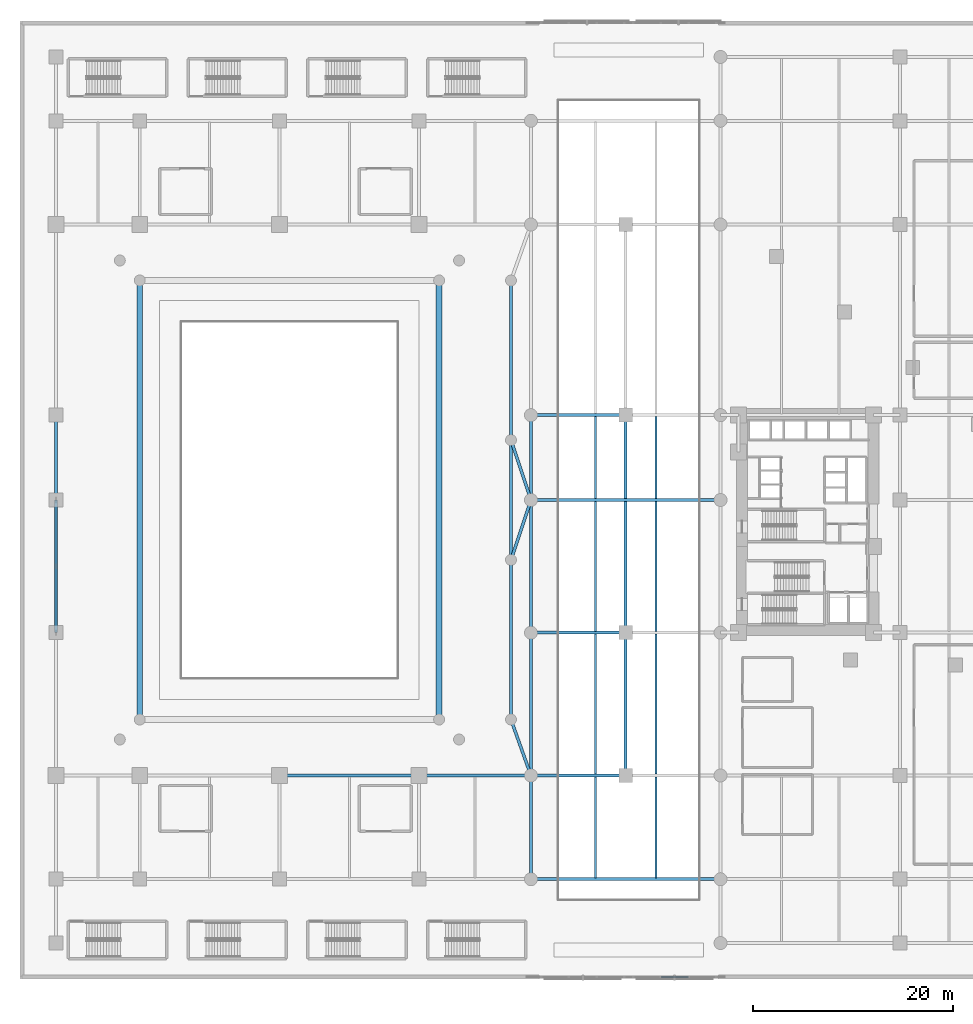
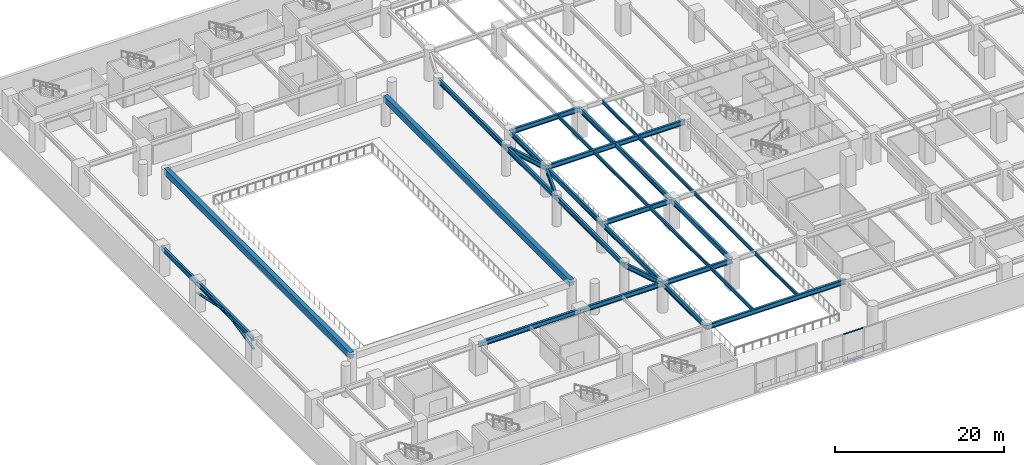
# One storey, part 3 of 32: 31 beams, 4 members, 1 element without a shape of its own.
"""IFC4 building model written with IfcOpenShell, lengths in metres."""

from ifc_helpers import new_model, si_unit, direction, frame, origin, origin_2d, place, context, subcontext, project, spatial, rectangle, hollow_rectangle, hollow_circle, i_section, extrude, material, material_profile, profile_set, type_object, element, aggregate, save


model = new_model("IFC4")

# Units and contexts
model_context = context("Model", 3, precision=1e-05, world=origin(), true_north=direction((0.0, 1.0)))
body_context = subcontext(model_context, "Body", "Model", "MODEL_VIEW")
ifc_project = project(units=[si_unit("LENGTHUNIT", "METRE"), si_unit("AREAUNIT", "SQUARE_METRE"), si_unit("VOLUMEUNIT", "CUBIC_METRE"), si_unit("PLANEANGLEUNIT", "RADIAN"), si_unit("MASSUNIT", "GRAM", prefix="KILO")], contexts=[model_context])

# Site, building, storey
site_placement = place(None, origin())
site = spatial("IfcSite", under=ifc_project, at=site_placement, CompositionType="ELEMENT")
building_placement = place(site_placement, origin())
building = spatial("IfcBuilding", under=site, at=building_placement, Name="Narakoshi Arena Tower", CompositionType="ELEMENT")
storey_placement = place(building_placement, frame((0.0, 0.0, 4.5)))
storey = spatial("IfcBuildingStorey", under=building, at=storey_placement, Name="L01", CompositionType="ELEMENT", Elevation=4.5)

# Beams
ifc_material_1 = material(Name="Structural steel S355J2", Category="steel")
ifc_material_profile_1 = material_profile(ifc_material_1, i_section(OverallWidth=0.300048828125, OverallDepth=0.699951171875, WebThickness=0.01708984375, FlangeThickness=0.031982421875, FilletRadius=0.027099609375, at=origin_2d()), Name="HE700B")
ifc_profile_set_1 = profile_set([ifc_material_profile_1], Name="Structural steel S355J2")
beam_type_1 = type_object("IfcBeamType", Name="BM-PRI-700", PredefinedType="BEAM", material=ifc_profile_set_1)
beam_1_placement = place(storey_placement, frame((49.199951171875, 26.0, 3.830078125), z_axis=(0.336331195321, -0.94174376932, 0.0), x_axis=(0.94174376932, 0.336331195321, 0.0)))
element("IfcBeam", 1, at=beam_1_placement, inside=storey, type_object=beam_type_1, Name="L01 Arena Foyer Tie Beam 01", PredefinedType="BEAM", context=body_context, shape_type="SweptSolid", body=[
    extrude(i_section(OverallWidth=0.300048828125, OverallDepth=0.699951171875, WebThickness=0.01708984375, FlangeThickness=0.031982421875, FilletRadius=0.027099609375, at=origin_2d()), origin(), (0.0, 0.0, 1.0), 5.946533203125),
])
for number, where, z_axis, x_axis, name in (
    (2, (49.199951171875, 42.0, 3.830078125), (0.316227766017, 0.948683298051, 0.0), (-0.948683298051, 0.316227766017, 0.0), "L01 Arena Foyer Tie Beam 02"),
    (3, (49.199951171875, 54.0, 3.830078125), (0.316227766017, -0.948683298051, 0.0), (0.948683298051, 0.316227766017, 0.0), "L01 Arena Foyer Tie Beam 03"),
):
    element("IfcBeam", number, at=place(storey_placement, frame(where, z_axis=z_axis, x_axis=x_axis)), inside=storey, type_object=beam_type_1, Name=name, PredefinedType="BEAM", context=body_context, shape_type="SweptSolid", body=[
        extrude(i_section(OverallWidth=0.300048828125, OverallDepth=0.699951171875, WebThickness=0.01708984375, FlangeThickness=0.031982421875, FilletRadius=0.027099609375, at=origin_2d()), origin(), (0.0, 0.0, 1.0), 6.324462890625),
    ])
beam_2_placement = place(storey_placement, frame((49.199951171875, 26.0, 3.830078125), z_axis=(0.0, 1.0, 0.0), x_axis=(-1.0, 0.0, 0.0)))
element("IfcBeam", 4, at=beam_2_placement, inside=storey, type_object=beam_type_1, Name="L01 Arena Foyer Ring Beam 26", PredefinedType="BEAM", context=body_context, shape_type="SweptSolid", body=[
    extrude(i_section(OverallWidth=0.300048828125, OverallDepth=0.699951171875, WebThickness=0.01708984375, FlangeThickness=0.031982421875, FilletRadius=0.027099609375, at=origin_2d()), origin(), (0.0, 0.0, 1.0), 16.0),
])
beam_3_placement = place(storey_placement, frame((49.199951171875, 42.0, 3.830078125), z_axis=(0.0, 1.0, 0.0), x_axis=(-1.0, 0.0, 0.0)))
element("IfcBeam", 5, at=beam_3_placement, inside=storey, type_object=beam_type_1, Name="L01 Arena Foyer Ring Beam 42", PredefinedType="BEAM", context=body_context, shape_type="SweptSolid", body=[
    extrude(i_section(OverallWidth=0.300048828125, OverallDepth=0.699951171875, WebThickness=0.01708984375, FlangeThickness=0.031982421875, FilletRadius=0.027099609375, at=origin_2d()), origin(), (0.0, 0.0, 1.0), 12.0),
])
beam_4_placement = place(storey_placement, frame((49.199951171875, 54.0, 3.830078125), z_axis=(0.0, 1.0, 0.0), x_axis=(-1.0, 0.0, 0.0)))
element("IfcBeam", 6, at=beam_4_placement, inside=storey, type_object=beam_type_1, Name="L01 Arena Foyer Ring Beam 54", PredefinedType="BEAM", context=body_context, shape_type="SweptSolid", body=[
    extrude(i_section(OverallWidth=0.300048828125, OverallDepth=0.699951171875, WebThickness=0.01708984375, FlangeThickness=0.031982421875, FilletRadius=0.027099609375, at=origin_2d()), origin(), (0.0, 0.0, 1.0), 16.0),
])
beam_5_placement = place(storey_placement, frame((51.199951171875, 10.0, 3.830078125), z_axis=(1.0, 0.0, 0.0), x_axis=(0.0, 1.0, 0.0)))
element("IfcBeam", 7, at=beam_5_placement, inside=storey, type_object=beam_type_1, Name="L01 Podium Primary X-Girder 009", PredefinedType="BEAM", context=body_context, shape_type="SweptSolid", body=[
    extrude(i_section(OverallWidth=0.300048828125, OverallDepth=0.699951171875, WebThickness=0.01708984375, FlangeThickness=0.031982421875, FilletRadius=0.027099609375, at=origin_2d()), origin(), (0.0, 0.0, 1.0), 19.0),
])
beam_6_placement = place(storey_placement, frame((26.0, 20.39990234375, 3.830078125), z_axis=(1.0, 0.0, 0.0), x_axis=(0.0, 1.0, 0.0)))
element("IfcBeam", 8, at=beam_6_placement, inside=storey, type_object=beam_type_1, Name="L01 Podium Primary X-Girder 016", PredefinedType="BEAM", context=body_context, shape_type="SweptSolid", body=[
    extrude(i_section(OverallWidth=0.300048828125, OverallDepth=0.699951171875, WebThickness=0.01708984375, FlangeThickness=0.031982421875, FilletRadius=0.027099609375, at=origin_2d()), origin(), (0.0, 0.0, 1.0), 14.0),
])
beam_7_placement = place(storey_placement, frame((40.0, 20.39990234375, 3.830078125), z_axis=(1.0, 0.0, 0.0), x_axis=(0.0, 1.0, 0.0)))
element("IfcBeam", 9, at=beam_7_placement, inside=storey, type_object=beam_type_1, Name="L01 Podium Primary X-Girder 017", PredefinedType="BEAM", context=body_context, shape_type="SweptSolid", body=[
    extrude(i_section(OverallWidth=0.300048828125, OverallDepth=0.699951171875, WebThickness=0.01708984375, FlangeThickness=0.031982421875, FilletRadius=0.027099609375, at=origin_2d()), origin(), (0.0, 0.0, 1.0), 11.199951171875),
])
for number, where, z_axis, x_axis, name in (
    (10, (51.199951171875, 20.39990234375, 3.830078125), (1.0, 0.0, 0.0), (0.0, 1.0, 0.0), "L01 Podium Primary X-Girder 018"),
    (11, (51.199951171875, 34.699951171875, 3.830078125), (1.0, 0.0, 0.0), (0.0, 1.0, 0.0), "L01 Podium Primary X-Girder 024"),
):
    element("IfcBeam", number, at=place(storey_placement, frame(where, z_axis=z_axis, x_axis=x_axis)), inside=storey, type_object=beam_type_1, Name=name, PredefinedType="BEAM", context=body_context, shape_type="SweptSolid", body=[
        extrude(i_section(OverallWidth=0.300048828125, OverallDepth=0.699951171875, WebThickness=0.01708984375, FlangeThickness=0.031982421875, FilletRadius=0.027099609375, at=origin_2d()), origin(), (0.0, 0.0, 1.0), 9.5),
    ])
beam_8_placement = place(storey_placement, frame((51.199951171875, 48.0, 3.830078125), z_axis=(1.0, 0.0, 0.0), x_axis=(0.0, 1.0, 0.0)))
element("IfcBeam", 12, at=beam_8_placement, inside=storey, type_object=beam_type_1, Name="L01 Podium Primary X-Girder 031", PredefinedType="BEAM", context=body_context, shape_type="SweptSolid", body=[
    extrude(i_section(OverallWidth=0.300048828125, OverallDepth=0.699951171875, WebThickness=0.01708984375, FlangeThickness=0.031982421875, FilletRadius=0.027099609375, at=origin_2d()), origin(), (0.0, 0.0, 1.0), 19.0),
])
beam_9_placement = place(storey_placement, frame((51.199951171875, 56.5, 3.830078125), z_axis=(1.0, 0.0, 0.0), x_axis=(0.0, 1.0, 0.0)))
element("IfcBeam", 13, at=beam_9_placement, inside=storey, type_object=beam_type_1, Name="L01 Podium Primary X-Girder 035", PredefinedType="BEAM", context=body_context, shape_type="SweptSolid", body=[
    extrude(i_section(OverallWidth=0.300048828125, OverallDepth=0.699951171875, WebThickness=0.01708984375, FlangeThickness=0.031982421875, FilletRadius=0.027099609375, at=origin_2d()), origin(), (0.0, 0.0, 1.0), 9.5),
])
beam_10_placement = place(storey_placement, frame((3.60009765625, 34.699951171875, 3.830078125), z_axis=(0.0, 1.0, 0.0), x_axis=(-1.0, 0.0, 0.0)))
element("IfcBeam", 14, at=beam_10_placement, inside=storey, type_object=beam_type_1, Name="L01 Podium Primary Y-Girder 069", PredefinedType="BEAM", context=body_context, shape_type="SweptSolid", body=[
    extrude(i_section(OverallWidth=0.300048828125, OverallDepth=0.699951171875, WebThickness=0.01708984375, FlangeThickness=0.031982421875, FilletRadius=0.027099609375, at=origin_2d()), origin(), (0.0, 0.0, 1.0), 13.300048828125),
])
beam_11_placement = place(storey_placement, frame((3.60009765625, 48.0, 3.830078125), z_axis=(0.0, 1.0, 0.0), x_axis=(-1.0, 0.0, 0.0)))
element("IfcBeam", 15, at=beam_11_placement, inside=storey, type_object=beam_type_1, Name="L01 Podium Primary Y-Girder 070", PredefinedType="BEAM", context=body_context, shape_type="SweptSolid", body=[
    extrude(i_section(OverallWidth=0.300048828125, OverallDepth=0.699951171875, WebThickness=0.01708984375, FlangeThickness=0.031982421875, FilletRadius=0.027099609375, at=origin_2d()), origin(), (0.0, 0.0, 1.0), 8.5),
])
beam_12_placement = place(storey_placement, frame((51.199951171875, 10.0, 3.830078125), z_axis=(0.0, 1.0, 0.0), x_axis=(-1.0, 0.0, 0.0)))
element("IfcBeam", 16, at=beam_12_placement, inside=storey, type_object=beam_type_1, Name="L01 Podium Primary Y-Girder 080", PredefinedType="BEAM", context=body_context, shape_type="SweptSolid", body=[
    extrude(i_section(OverallWidth=0.300048828125, OverallDepth=0.699951171875, WebThickness=0.01708984375, FlangeThickness=0.031982421875, FilletRadius=0.027099609375, at=origin_2d()), origin(), (0.0, 0.0, 1.0), 10.39990234375),
])
beam_13_placement = place(storey_placement, frame((51.199951171875, 20.39990234375, 3.830078125), z_axis=(0.0, 1.0, 0.0), x_axis=(-1.0, 0.0, 0.0)))
element("IfcBeam", 17, at=beam_13_placement, inside=storey, type_object=beam_type_1, Name="L01 Podium Primary Y-Girder 081", PredefinedType="BEAM", context=body_context, shape_type="SweptSolid", body=[
    extrude(i_section(OverallWidth=0.300048828125, OverallDepth=0.699951171875, WebThickness=0.01708984375, FlangeThickness=0.031982421875, FilletRadius=0.027099609375, at=origin_2d()), origin(), (0.0, 0.0, 1.0), 14.300048828125),
])
beam_14_placement = place(storey_placement, frame((51.199951171875, 34.699951171875, 3.830078125), z_axis=(0.0, 1.0, 0.0), x_axis=(-1.0, 0.0, 0.0)))
element("IfcBeam", 18, at=beam_14_placement, inside=storey, type_object=beam_type_1, Name="L01 Podium Primary Y-Girder 082", PredefinedType="BEAM", context=body_context, shape_type="SweptSolid", body=[
    extrude(i_section(OverallWidth=0.300048828125, OverallDepth=0.699951171875, WebThickness=0.01708984375, FlangeThickness=0.031982421875, FilletRadius=0.027099609375, at=origin_2d()), origin(), (0.0, 0.0, 1.0), 13.300048828125),
])
beam_15_placement = place(storey_placement, frame((51.199951171875, 48.0, 3.830078125), z_axis=(0.0, 1.0, 0.0), x_axis=(-1.0, 0.0, 0.0)))
element("IfcBeam", 19, at=beam_15_placement, inside=storey, type_object=beam_type_1, Name="L01 Podium Primary Y-Girder 083", PredefinedType="BEAM", context=body_context, shape_type="SweptSolid", body=[
    extrude(i_section(OverallWidth=0.300048828125, OverallDepth=0.699951171875, WebThickness=0.01708984375, FlangeThickness=0.031982421875, FilletRadius=0.027099609375, at=origin_2d()), origin(), (0.0, 0.0, 1.0), 8.5),
])
beam_16_placement = place(storey_placement, frame((60.699951171875, 20.39990234375, 3.830078125), z_axis=(0.0, 1.0, 0.0), x_axis=(-1.0, 0.0, 0.0)))
element("IfcBeam", 20, at=beam_16_placement, inside=storey, type_object=beam_type_1, Name="L01 Podium Primary Y-Girder 086", PredefinedType="BEAM", context=body_context, shape_type="SweptSolid", body=[
    extrude(i_section(OverallWidth=0.300048828125, OverallDepth=0.699951171875, WebThickness=0.01708984375, FlangeThickness=0.031982421875, FilletRadius=0.027099609375, at=origin_2d()), origin(), (0.0, 0.0, 1.0), 14.300048828125),
])
beam_17_placement = place(storey_placement, frame((60.699951171875, 34.699951171875, 3.830078125), z_axis=(0.0, 1.0, 0.0), x_axis=(-1.0, 0.0, 0.0)))
element("IfcBeam", 21, at=beam_17_placement, inside=storey, type_object=beam_type_1, Name="L01 Podium Primary Y-Girder 087", PredefinedType="BEAM", context=body_context, shape_type="SweptSolid", body=[
    extrude(i_section(OverallWidth=0.300048828125, OverallDepth=0.699951171875, WebThickness=0.01708984375, FlangeThickness=0.031982421875, FilletRadius=0.027099609375, at=origin_2d()), origin(), (0.0, 0.0, 1.0), 21.800048828125),
])
ifc_material_2 = material(Name="Concrete C50/60", Category="concrete")
ifc_material_profile_2 = material_profile(ifc_material_2, rectangle(XDim=0.60009765625, YDim=0.89990234375, at=origin_2d()), Name="RCB600x900")
ifc_profile_set_2 = profile_set([ifc_material_profile_2], Name="Concrete C50/60")
beam_type_2 = type_object("IfcBeamType", Name="BM-RC-900", PredefinedType="BEAM", material=ifc_profile_set_2)
for number, where, z_axis, x_axis, name in (
    (22, (42.0, 26.0, 3.77001953125), (0.0, 1.0, 0.0), (-1.0, 0.0, 0.0), "L01 Arena Bowl Concrete Ring Beam 2"),
    (23, (12.0, 70.0, 3.77001953125), (0.0, -1.0, 0.0), (1.0, 0.0, 0.0), "L01 Arena Bowl Concrete Ring Beam 4"),
):
    element("IfcBeam", number, at=place(storey_placement, frame(where, z_axis=z_axis, x_axis=x_axis)), inside=storey, type_object=beam_type_2, Name=name, PredefinedType="BEAM", context=body_context, shape_type="SweptSolid", body=[
        extrude(rectangle(XDim=0.60009765625, YDim=0.89990234375, at=origin_2d()), origin(), (0.0, 0.0, 1.0), 44.0),
    ])
ifc_material_profile_3 = material_profile(ifc_material_1, i_section(OverallWidth=0.199951171875, OverallDepth=0.5, WebThickness=0.01025390625, FlangeThickness=0.01611328125, FilletRadius=0.02099609375, at=origin_2d()), Name="IPE500")
ifc_profile_set_3 = profile_set([ifc_material_profile_3], Name="Structural steel S355J2")
beam_type_3 = type_object("IfcBeamType", Name="BM-SEC-500", PredefinedType="JOIST", material=ifc_profile_set_3)
beam_18_placement = place(storey_placement, frame((57.659912109375, 10.135009765625, 3.929931640625), z_axis=(0.0, 1.0, 0.0), x_axis=(-1.0, 0.0, 0.0)))
element("IfcBeam", 24, at=beam_18_placement, inside=storey, type_object=beam_type_3, Name="L01 Podium Composite Floor Joist 009", PredefinedType="JOIST", context=body_context, shape_type="SweptSolid", body=[
    extrude(i_section(OverallWidth=0.199951171875, OverallDepth=0.5, WebThickness=0.01025390625, FlangeThickness=0.01611328125, FilletRadius=0.02099609375, at=origin_2d()), origin(), (0.0, 0.0, 1.0), 10.1298828125),
])
beam_19_placement = place(storey_placement, frame((57.659912109375, 20.534912109375, 3.929931640625), z_axis=(0.0, 1.0, 0.0), x_axis=(-1.0, 0.0, 0.0)))
element("IfcBeam", 25, at=beam_19_placement, inside=storey, type_object=beam_type_3, Name="L01 Podium Composite Floor Joist 010", PredefinedType="JOIST", context=body_context, shape_type="SweptSolid", body=[
    extrude(i_section(OverallWidth=0.199951171875, OverallDepth=0.5, WebThickness=0.01025390625, FlangeThickness=0.01611328125, FilletRadius=0.02099609375, at=origin_2d()), origin(), (0.0, 0.0, 1.0), 14.030029296875),
])
beam_20_placement = place(storey_placement, frame((57.659912109375, 34.8349609375, 3.929931640625), z_axis=(0.0, 1.0, 0.0), x_axis=(-1.0, 0.0, 0.0)))
element("IfcBeam", 26, at=beam_20_placement, inside=storey, type_object=beam_type_3, Name="L01 Podium Composite Floor Joist 011", PredefinedType="JOIST", context=body_context, shape_type="SweptSolid", body=[
    extrude(i_section(OverallWidth=0.199951171875, OverallDepth=0.5, WebThickness=0.01025390625, FlangeThickness=0.01611328125, FilletRadius=0.02099609375, at=origin_2d()), origin(), (0.0, 0.0, 1.0), 13.030029296875),
])
beam_21_placement = place(storey_placement, frame((57.659912109375, 48.135009765625, 3.929931640625), z_axis=(0.0, 1.0, 0.0), x_axis=(-1.0, 0.0, 0.0)))
element("IfcBeam", 27, at=beam_21_placement, inside=storey, type_object=beam_type_3, Name="L01 Podium Composite Floor Joist 012", PredefinedType="JOIST", context=body_context, shape_type="SweptSolid", body=[
    extrude(i_section(OverallWidth=0.199951171875, OverallDepth=0.5, WebThickness=0.01025390625, FlangeThickness=0.01611328125, FilletRadius=0.02099609375, at=origin_2d()), origin(), (0.0, 0.0, 1.0), 8.22998046875),
])
beam_22_placement = place(storey_placement, frame((63.739990234375, 10.135009765625, 3.929931640625), z_axis=(0.0, 1.0, 0.0), x_axis=(-1.0, 0.0, 0.0)))
element("IfcBeam", 28, at=beam_22_placement, inside=storey, type_object=beam_type_3, Name="L01 Podium Composite Floor Joist 015", PredefinedType="JOIST", context=body_context, shape_type="SweptSolid", body=[
    extrude(i_section(OverallWidth=0.199951171875, OverallDepth=0.5, WebThickness=0.01025390625, FlangeThickness=0.01611328125, FilletRadius=0.02099609375, at=origin_2d()), origin(), (0.0, 0.0, 1.0), 10.1298828125),
])
beam_23_placement = place(storey_placement, frame((63.739990234375, 20.534912109375, 3.929931640625), z_axis=(0.0, 1.0, 0.0), x_axis=(-1.0, 0.0, 0.0)))
element("IfcBeam", 29, at=beam_23_placement, inside=storey, type_object=beam_type_3, Name="L01 Podium Composite Floor Joist 016", PredefinedType="JOIST", context=body_context, shape_type="SweptSolid", body=[
    extrude(i_section(OverallWidth=0.199951171875, OverallDepth=0.5, WebThickness=0.01025390625, FlangeThickness=0.01611328125, FilletRadius=0.02099609375, at=origin_2d()), origin(), (0.0, 0.0, 1.0), 14.030029296875),
])
beam_24_placement = place(storey_placement, frame((63.739990234375, 34.8349609375, 3.929931640625), z_axis=(0.0, 1.0, 0.0), x_axis=(-1.0, 0.0, 0.0)))
element("IfcBeam", 30, at=beam_24_placement, inside=storey, type_object=beam_type_3, Name="L01 Podium Composite Floor Joist 017", PredefinedType="JOIST", context=body_context, shape_type="SweptSolid", body=[
    extrude(i_section(OverallWidth=0.199951171875, OverallDepth=0.5, WebThickness=0.01025390625, FlangeThickness=0.01611328125, FilletRadius=0.02099609375, at=origin_2d()), origin(), (0.0, 0.0, 1.0), 13.030029296875),
])
beam_25_placement = place(storey_placement, frame((63.739990234375, 48.135009765625, 3.929931640625), z_axis=(0.0, 1.0, 0.0), x_axis=(-1.0, 0.0, 0.0)))
element("IfcBeam", 31, at=beam_25_placement, inside=storey, type_object=beam_type_3, Name="L01 Podium Composite Floor Joist 018", PredefinedType="JOIST", context=body_context, shape_type="SweptSolid", body=[
    extrude(i_section(OverallWidth=0.199951171875, OverallDepth=0.5, WebThickness=0.01025390625, FlangeThickness=0.01611328125, FilletRadius=0.02099609375, at=origin_2d()), origin(), (0.0, 0.0, 1.0), 8.22998046875),
])

# Members
ifc_material_profile_4 = material_profile(ifc_material_1, hollow_circle(Radius=0.161865234375, WallThickness=0.012451171875, at=origin_2d()), Name="CHS323x12")
ifc_profile_set_4 = profile_set([ifc_material_profile_4], Name="Structural steel S355J2")
member_type_1 = type_object("IfcMemberType", Name="MEM-BR-323", PredefinedType="BRACE", material=ifc_profile_set_4)
member_1_placement = place(storey_placement, frame((3.60009765625, 34.699951171875, 2.39990234375), z_axis=(0.0, 0.977647200704, 0.210252112843), x_axis=(-1.0, 0.0, 0.0)))
element("IfcMember", 32, at=member_1_placement, inside=storey, type_object=member_type_1, Name="L01 Podium Lateral Brace 1A", PredefinedType="BRACE", context=body_context, shape_type="SweptSolid", body=[
    extrude(hollow_circle(Radius=0.161865234375, WallThickness=0.012451171875, at=origin_2d()), origin(), (0.0, 0.0, 1.0), 6.80224609375),
])
member_2_placement = place(storey_placement, frame((3.60009765625, 48.0, 2.39990234375), z_axis=(0.0, -0.977645614005, 0.210259490669), x_axis=(1.0, 0.0, 0.0)))
element("IfcMember", 33, at=member_2_placement, inside=storey, type_object=member_type_1, Name="L01 Podium Lateral Brace 1B", PredefinedType="BRACE", context=body_context, shape_type="SweptSolid", body=[
    extrude(hollow_circle(Radius=0.161865234375, WallThickness=0.012451171875, at=origin_2d()), origin(), (0.0, 0.0, 1.0), 6.802001953125),
])

# Curtain wall, members
ifc_material_3 = material(Name="Anodised bronze aluminium 6063-T6", Category="aluminium")
curtain_wall_type = type_object("IfcCurtainWallType", Name="CW-POD-CONC", PredefinedType="NOTDEFINED", material=ifc_material_3)
curtain_wall_placement = place(storey_placement, origin())
curtain_wall = element("IfcCurtainWall", 34, at=curtain_wall_placement, inside=storey, type_object=curtain_wall_type, Name="L01 Street Concourse Curtain Wall CS2", PredefinedType="NOTDEFINED")
ifc_material_profile_5 = material_profile(ifc_material_3, hollow_rectangle(XDim=0.070068359375, YDim=0.159912109375, WallThickness=0.00390625, OuterFilletRadius=0.0048828125, at=origin_2d()), Name="TRN160x70x4")
ifc_profile_set_5 = profile_set([ifc_material_profile_5], Name="Anodised bronze aluminium 6063-T6")
member_type_2 = type_object("IfcMemberType", Name="MEM-TRN-160", PredefinedType="USERDEFINED", material=ifc_profile_set_5)
member_3_placement = place(storey_placement, frame((64.239990234375, 0.2099609375, 0.034912109375), z_axis=(1.0, 0.0, 0.0), x_axis=(0.0, 1.0, 0.0)))
member_3 = element("IfcMember", 35, at=member_3_placement, type_object=member_type_2, Name="CW-04 transom 2.1", ObjectType="TRANSOM", PredefinedType="USERDEFINED", context=body_context, shape_type="SweptSolid", body=[
    extrude(hollow_rectangle(XDim=0.070068359375, YDim=0.159912109375, WallThickness=0.00390625, OuterFilletRadius=0.0048828125, at=origin_2d()), origin(), (0.0, 0.0, 1.0), 2.719970703125),
])
member_4_placement = place(storey_placement, frame((64.239990234375, 0.2099609375, 4.14501953125), z_axis=(1.0, 0.0, 0.0), x_axis=(0.0, 1.0, 0.0)))
member_4 = element("IfcMember", 36, at=member_4_placement, type_object=member_type_2, Name="CW-04 transom 2.2", ObjectType="TRANSOM", PredefinedType="USERDEFINED", context=body_context, shape_type="SweptSolid", body=[
    extrude(hollow_rectangle(XDim=0.070068359375, YDim=0.159912109375, WallThickness=0.00390625, OuterFilletRadius=0.0048828125, at=origin_2d()), origin(), (0.0, 0.0, 1.0), 2.719970703125),
])
aggregate(curtain_wall, [member_3, member_4])

save(model, "model.ifc")
